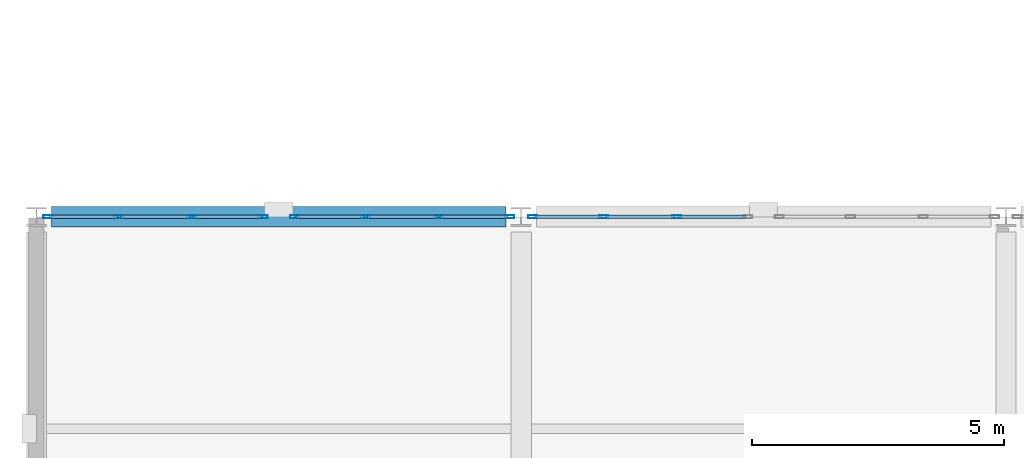
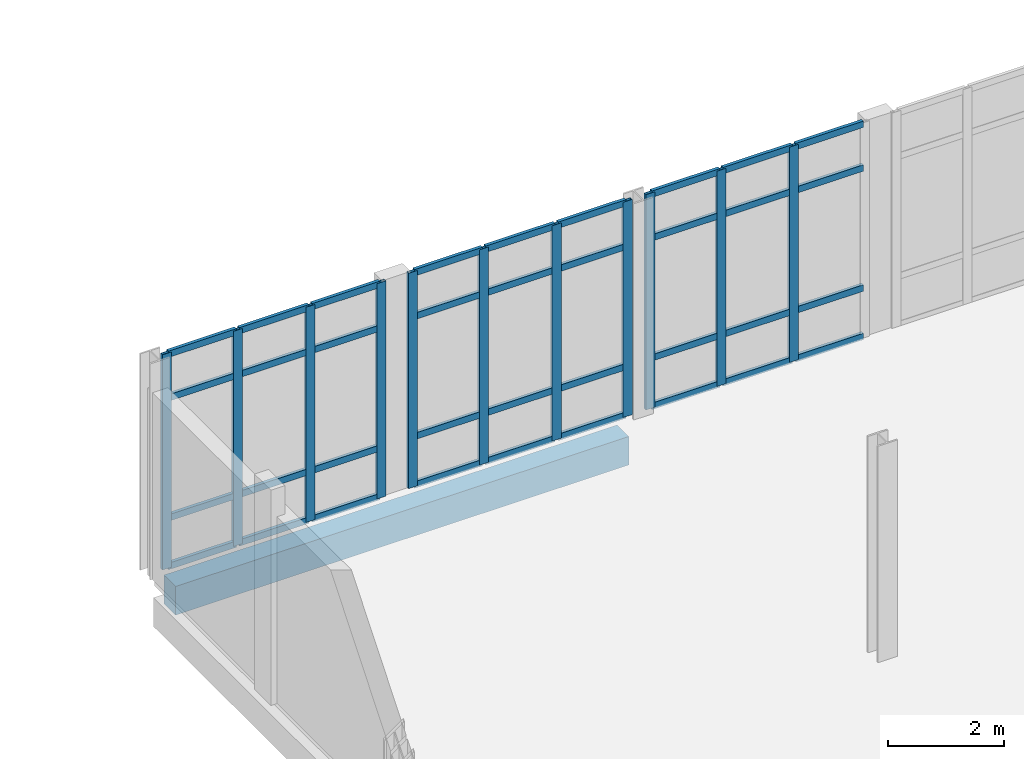
# One storey, part 18 of 102: 47 members, 1 beam, 3 elements without a shape of their own.
"""IFC4 building model written with IfcOpenShell, lengths in metres."""

import ifcopenshell
import ifcopenshell.guid

model = None  # the IFC model being written
_history = None  # IfcOwnerHistory: only IFC2X3 demands one
_inside = {}  # id of a spatial element -> (the spatial element, [elements in it])
_under = {}  # id of a project, library or spatial element -> (it, [spatial elements below it])
_declared = {}  # id of a project -> (the project, [libraries it declares])
_typed = {}  # id of a type object -> (the type object, [elements of that type])
_made_of = {}  # id of a material, layer set ... -> (it, [elements and type objects made of it])


def new_model(schema):
    """Start an empty IFC model of exactly this schema.

    Asked for "IFC4X3", IfcOpenShell would pick the latest addendum, in which some entities
    have other attributes; the version numbers below select the first issue.
    IFC2X3 requires an IfcOwnerHistory on every rooted entity: one is made here for all.
    """
    global model, _history
    if schema == "IFC4X3":
        model = ifcopenshell.file(schema_version=(4, 3, 0, 0))
    else:
        model = ifcopenshell.file(schema=schema)
    _inside.clear()
    _under.clear()
    _declared.clear()
    _typed.clear()
    _made_of.clear()
    _history = None
    if model.schema == "IFC2X3":
        org = make("IfcOrganization", Name="unknown")
        user = make(
            "IfcPersonAndOrganization",
            ThePerson=make("IfcPerson", FamilyName="unknown"),
            TheOrganization=org,
        )
        app = make(
            "IfcApplication",
            ApplicationDeveloper=org,
            Version="unknown",
            ApplicationFullName="unknown",
            ApplicationIdentifier="unknown",
        )
        _history = make(
            "IfcOwnerHistory",
            OwningUser=user,
            OwningApplication=app,
            ChangeAction="ADDED",
            CreationDate=0,
        )
    return model


def make(cls, **values):
    """One entity of the class cls with the attributes given. An attribute that is None is left unset."""
    return model.create_entity(
        cls, **{name: value for name, value in values.items() if value is not None}
    )


def rooted(cls, **values):
    """An entity with a GlobalId (a new one), such as an element, a storey or a relation."""
    return make(cls, GlobalId=ifcopenshell.guid.new(), OwnerHistory=_history, **values)


def si_unit(unit_type, name, prefix=None):
    """IfcSIUnit, for example si_unit("LENGTHUNIT", "METRE", prefix="MILLI")."""
    return make("IfcSIUnit", UnitType=unit_type, Prefix=prefix, Name=name)


def assignment(units):
    """IfcUnitAssignment: the units of a project."""
    return None if units is None else make("IfcUnitAssignment", Units=units)


def point(xyz):
    """IfcCartesianPoint."""
    return None if xyz is None else make("IfcCartesianPoint", Coordinates=xyz)


def direction(xyz):
    """IfcDirection."""
    return None if xyz is None else make("IfcDirection", DirectionRatios=xyz)


def frame(location, z_axis=None, x_axis=None):
    """IfcAxis2Placement3D, a coordinate frame: its origin and axes. An axis left out is left unset."""
    return make(
        "IfcAxis2Placement3D",
        Location=point(location),
        Axis=direction(z_axis),
        RefDirection=direction(x_axis),
    )


def frame_2d(location, x_axis=None):
    """IfcAxis2Placement2D, a coordinate frame in the plane: its origin and x axis."""
    return make(
        "IfcAxis2Placement2D", Location=point(location), RefDirection=direction(x_axis)
    )


def origin():
    """The frame at (0, 0, 0) with its axes left unset."""
    return frame((0.0, 0.0, 0.0))


def origin_2d():
    """The frame at (0, 0) in the plane with its x axis left unset."""
    return frame_2d((0.0, 0.0))


def place(relative_to, where):
    """IfcLocalPlacement: puts the frame where relative to a parent placement (None: the world)."""
    return make(
        "IfcLocalPlacement", PlacementRelTo=relative_to, RelativePlacement=where
    )


def context(
    kind, dimensions, precision=None, world=None, true_north=None, identifier=None
):
    """IfcGeometricRepresentationContext, for example the 3D "Model" context."""
    return make(
        "IfcGeometricRepresentationContext",
        ContextIdentifier=identifier,
        ContextType=kind,
        CoordinateSpaceDimension=dimensions,
        Precision=precision,
        WorldCoordinateSystem=world,
        TrueNorth=true_north,
    )


def subcontext(parent, identifier, kind, view, scale=None):
    """IfcGeometricRepresentationSubContext, for example "Body" below "Model"."""
    return make(
        "IfcGeometricRepresentationSubContext",
        ContextIdentifier=identifier,
        ContextType=kind,
        ParentContext=parent,
        TargetScale=scale,
        TargetView=view,
    )


def project(units=None, contexts=None):
    """IfcProject with its units and contexts."""
    return rooted(
        "IfcProject",
        Name="project",
        RepresentationContexts=contexts,
        UnitsInContext=assignment(units),
    )


def spatial(cls, under=None, at=None, **own):
    """A site, building, storey or space (cls), placed at a placement, below another one or the project."""
    s = rooted(cls, ObjectPlacement=at, **own)
    if under is not None:
        _under.setdefault(under.id(), (under, []))[1].append(s)
    return s


def profile(cls, at=None, kind="AREA", **sizes):
    """A parametric profile (cls). Its sizes go by their IFC names, for example OverallWidth=200.0."""
    return make(cls, ProfileType=kind, Position=at, **sizes)


def rectangle(**sizes):
    """IfcRectangleProfileDef."""
    return profile("IfcRectangleProfileDef", **sizes)


def hollow_rectangle(**sizes):
    """IfcRectangleHollowProfileDef."""
    return profile("IfcRectangleHollowProfileDef", **sizes)


def extrude(swept, where, along, depth):
    """IfcExtrudedAreaSolid: the profile swept, set in the frame where, extruded along a direction by depth."""
    return make(
        "IfcExtrudedAreaSolid",
        SweptArea=swept,
        Position=where,
        ExtrudedDirection=direction(along),
        Depth=depth,
    )


def shape(context_of_items, identifier, shape_type, items):
    """IfcShapeRepresentation: the items that make up one representation, for example the "Body"."""
    return make(
        "IfcShapeRepresentation",
        ContextOfItems=context_of_items,
        RepresentationIdentifier=identifier,
        RepresentationType=shape_type,
        Items=items,
    )


def material(Name=None, Category=None):
    """IfcMaterial."""
    return make("IfcMaterial", Name=Name, Category=Category)


def layer(
    of_material, thickness, ventilated=None, Name=None, Category=None, Priority=None
):
    """IfcMaterialLayer: one layer of a wall or slab, of a material (None: an air gap)."""
    return make(
        "IfcMaterialLayer",
        Material=of_material,
        LayerThickness=thickness,
        IsVentilated=ventilated,
        Name=Name,
        Category=Category,
        Priority=Priority,
    )


def layer_set(layers, Name=None):
    """IfcMaterialLayerSet."""
    return make("IfcMaterialLayerSet", MaterialLayers=layers, LayerSetName=Name)


def material_profile(
    of_material, cross_section, Name=None, Category=None, Priority=None
):
    """IfcMaterialProfile: a cross section and its material."""
    return make(
        "IfcMaterialProfile",
        Name=Name,
        Material=of_material,
        Profile=cross_section,
        Priority=Priority,
        Category=Category,
    )


def profile_set(profiles, Name=None, composite=None):
    """IfcMaterialProfileSet."""
    return make(
        "IfcMaterialProfileSet",
        Name=Name,
        MaterialProfiles=profiles,
        CompositeProfile=composite,
    )


def made_of(thing, what):
    """Note that an element or type object is made of a material, layer set ...; save() writes the relation."""
    if what is not None:
        _made_of.setdefault(what.id(), (what, []))[1].append(thing)
    return thing


def type_object(cls, material=None, **own):
    """A type object (cls), such as IfcWallType, which elements share."""
    return made_of(rooted(cls, **own), material)


def element(
    cls,
    number,
    at=None,
    inside=None,
    cuts=None,
    type_object=None,
    material=None,
    context=None,
    identifier="Body",
    shape_type=None,
    held_by="IfcProductDefinitionShape",
    body=None,
    shapes=None,
    **own,
):
    """One element of the class cls, such as IfcWall. Its Tag is "e" and its number.

    at: its placement. inside: the storey or other place that contains it. cuts: it is an
    opening in that element (IfcRelVoidsElement). A single representation is given by context,
    identifier, shape_type and body (its items); several are given by shapes. held_by: the class
    of the entity that holds the representations. save() writes the other relations.
    """
    e = rooted(cls, Tag="e%d" % number, ObjectPlacement=at, **own)
    if body is not None:
        shapes = [shape(context, identifier, shape_type, body)]
    if shapes is not None:
        e.Representation = make(held_by, Representations=shapes)
    if inside is not None:
        _inside.setdefault(inside.id(), (inside, []))[1].append(e)
    if cuts is not None:
        rooted(
            "IfcRelVoidsElement", RelatingBuildingElement=cuts, RelatedOpeningElement=e
        )
    if type_object is not None:
        _typed.setdefault(type_object.id(), (type_object, []))[1].append(e)
    return made_of(e, material)


def aggregate(whole, parts):
    """IfcRelAggregates: a whole, such as a stair, and the parts it consists of."""
    return rooted("IfcRelAggregates", RelatingObject=whole, RelatedObjects=parts)


def save(model, path):
    """Write the relations noted so far, then the file.

    IfcRelAggregates (storeys below a building ...), IfcRelContainedInSpatialStructure (elements
    in a storey), IfcRelDefinesByType, IfcRelAssociatesMaterial and IfcRelDeclares: one each for
    every whole, place, type object, material and project.
    """
    for whole, parts in _under.values():
        aggregate(whole, parts)
    for where, things in _inside.values():
        rooted(
            "IfcRelContainedInSpatialStructure",
            RelatedElements=things,
            RelatingStructure=where,
        )
    for kind, things in _typed.values():
        rooted("IfcRelDefinesByType", RelatedObjects=things, RelatingType=kind)
    for what, things in _made_of.values():
        rooted("IfcRelAssociatesMaterial", RelatedObjects=things, RelatingMaterial=what)
    for by, libraries in _declared.values():
        rooted("IfcRelDeclares", RelatingContext=by, RelatedDefinitions=libraries)
    model.write(path)


model = new_model("IFC4")

# Units and contexts
model_context = context("Model", 3, precision=1e-05, world=origin(), true_north=direction((0.0, 1.0)))
body_context = subcontext(model_context, "Body", "Model", "MODEL_VIEW")
ifc_project = project(units=[si_unit("LENGTHUNIT", "METRE"), si_unit("AREAUNIT", "SQUARE_METRE"), si_unit("VOLUMEUNIT", "CUBIC_METRE"), si_unit("PLANEANGLEUNIT", "RADIAN"), si_unit("MASSUNIT", "GRAM", prefix="KILO")], contexts=[model_context])

# Site, building, storey
site_placement = place(None, origin())
site = spatial("IfcSite", under=ifc_project, at=site_placement, CompositionType="ELEMENT")
building_placement = place(site_placement, origin())
building = spatial("IfcBuilding", under=site, at=building_placement, Name="Lornevale Opera House", CompositionType="ELEMENT")
storey_placement = place(building_placement, frame((0.0, 0.0, 5.39990234375)))
storey = spatial("IfcBuildingStorey", under=building, at=storey_placement, Name="L02", CompositionType="ELEMENT", Elevation=5.39990234375)

# Beam
ifc_material_1 = material(Name="Concrete 35 MPa (CSA A23.1 N)", Category="concrete")
ifc_material_profile_1 = material_profile(ifc_material_1, rectangle(XDim=0.39990234375, YDim=0.60009765625, at=origin_2d()), Name="RC400x600")
ifc_profile_set_1 = profile_set([ifc_material_profile_1], Name="Concrete 35 MPa (CSA A23.1 N)")
beam_type = type_object("IfcBeamType", Name="Concrete Spandrel Beam 400x600", PredefinedType="SPANDREL", material=ifc_profile_set_1)
beam_placement = place(storey_placement, frame((0.300048828125, 25.199951171875, -0.599853515625), z_axis=(1.0, 0.0, 0.0), x_axis=(0.0, 1.0, 0.0)))
element("IfcBeam", 1, at=beam_placement, inside=storey, type_object=beam_type, Name="Concrete Spandrel Beam 400x600 1695", PredefinedType="SPANDREL", context=body_context, shape_type="SweptSolid", body=[
    extrude(rectangle(XDim=0.39990234375, YDim=0.60009765625, at=origin_2d()), origin(), (0.0, 0.0, 1.0), 9.0),
])

# Curtain wall, members
ifc_material_2 = material(Name="Anodized Oxide-Green Aluminium Framing", Category="aluminium")
ifc_layer = layer(ifc_material_2, 0.175048828125)
ifc_layer_set = layer_set([ifc_layer], Name="Anodized Oxide-Green Aluminium Framing")
curtain_wall_type = type_object("IfcCurtainWallType", Name="Chamber Cloister Curtain Wall M1700", PredefinedType="NOTDEFINED", material=ifc_layer_set)
curtain_wall_1_placement = place(storey_placement, origin())
curtain_wall_1 = element("IfcCurtainWall", 2, at=curtain_wall_1_placement, inside=storey, type_object=curtain_wall_type, Name="Chamber Cloister Curtain Wall M1700 CW-023", PredefinedType="NOTDEFINED")
ifc_material_profile_2 = material_profile(ifc_material_2, hollow_rectangle(XDim=0.06494140625, YDim=0.179931640625, WallThickness=0.0048828125, at=origin_2d()), Name="ALU65x180x5")
ifc_profile_set_2 = profile_set([ifc_material_profile_2], Name="Anodized Oxide-Green Aluminium Framing")
member_type_1 = type_object("IfcMemberType", Name="Curtain Wall Mullion 65x180", PredefinedType="MULLION", material=ifc_profile_set_2)
member_1_placement = place(storey_placement, frame((0.2255859375, 25.199951171875, 0.0), z_axis=(0.0, 0.0, 1.0), x_axis=(0.0, 1.0, 0.0)))
member_1 = element("IfcMember", 3, at=member_1_placement, type_object=member_type_1, Name="Curtain Wall Mullion 65x180 CW0383", PredefinedType="MULLION", context=body_context, shape_type="SweptSolid", body=[
    extrude(hollow_rectangle(XDim=0.06494140625, YDim=0.179931640625, WallThickness=0.0048828125, at=origin_2d()), origin(), (0.0, 0.0, 1.0), 4.52001953125),
])
member_2_placement = place(storey_placement, frame((1.63525390625, 25.199951171875, 0.0), z_axis=(0.0, 0.0, 1.0), x_axis=(0.0, 1.0, 0.0)))
member_2 = element("IfcMember", 4, at=member_2_placement, type_object=member_type_1, Name="Curtain Wall Mullion 65x180 CW0384", PredefinedType="MULLION", context=body_context, shape_type="SweptSolid", body=[
    extrude(hollow_rectangle(XDim=0.06494140625, YDim=0.179931640625, WallThickness=0.0048828125, at=origin_2d()), origin(), (0.0, 0.0, 1.0), 4.52001953125),
])
member_3_placement = place(storey_placement, frame((3.07763671875, 25.199951171875, 0.0), z_axis=(0.0, 0.0, 1.0), x_axis=(0.0, 1.0, 0.0)))
member_3 = element("IfcMember", 5, at=member_3_placement, type_object=member_type_1, Name="Curtain Wall Mullion 65x180 CW0385", PredefinedType="MULLION", context=body_context, shape_type="SweptSolid", body=[
    extrude(hollow_rectangle(XDim=0.06494140625, YDim=0.179931640625, WallThickness=0.0048828125, at=origin_2d()), origin(), (0.0, 0.0, 1.0), 4.52001953125),
])
member_4_placement = place(storey_placement, frame((4.487548828125, 25.199951171875, 0.0), z_axis=(0.0, 0.0, 1.0), x_axis=(0.0, 1.0, 0.0)))
member_4 = element("IfcMember", 6, at=member_4_placement, type_object=member_type_1, Name="Curtain Wall Mullion 65x180 CW0386", PredefinedType="MULLION", context=body_context, shape_type="SweptSolid", body=[
    extrude(hollow_rectangle(XDim=0.06494140625, YDim=0.179931640625, WallThickness=0.0048828125, at=origin_2d()), origin(), (0.0, 0.0, 1.0), 4.52001953125),
])

curtain_wall_2_placement = place(storey_placement, origin())
curtain_wall_2 = element("IfcCurtainWall", 7, at=curtain_wall_2_placement, inside=storey, type_object=curtain_wall_type, Name="Chamber Cloister Curtain Wall M1700 CW-024", PredefinedType="NOTDEFINED")
member_5_placement = place(storey_placement, frame((5.112548828125, 25.199951171875, 0.0), z_axis=(0.0, 0.0, 1.0), x_axis=(0.0, 1.0, 0.0)))
member_5 = element("IfcMember", 8, at=member_5_placement, type_object=member_type_1, Name="Curtain Wall Mullion 65x180 CW0408", PredefinedType="MULLION", context=body_context, shape_type="SweptSolid", body=[
    extrude(hollow_rectangle(XDim=0.06494140625, YDim=0.179931640625, WallThickness=0.0048828125, at=origin_2d()), origin(), (0.0, 0.0, 1.0), 4.52001953125),
])
member_6_placement = place(storey_placement, frame((6.522216796875, 25.199951171875, 0.0), z_axis=(0.0, 0.0, 1.0), x_axis=(0.0, 1.0, 0.0)))
member_6 = element("IfcMember", 9, at=member_6_placement, type_object=member_type_1, Name="Curtain Wall Mullion 65x180 CW0409", PredefinedType="MULLION", context=body_context, shape_type="SweptSolid", body=[
    extrude(hollow_rectangle(XDim=0.06494140625, YDim=0.179931640625, WallThickness=0.0048828125, at=origin_2d()), origin(), (0.0, 0.0, 1.0), 4.52001953125),
])
member_7_placement = place(storey_placement, frame((7.964599609375, 25.199951171875, 0.0), z_axis=(0.0, 0.0, 1.0), x_axis=(0.0, 1.0, 0.0)))
member_7 = element("IfcMember", 10, at=member_7_placement, type_object=member_type_1, Name="Curtain Wall Mullion 65x180 CW0410", PredefinedType="MULLION", context=body_context, shape_type="SweptSolid", body=[
    extrude(hollow_rectangle(XDim=0.06494140625, YDim=0.179931640625, WallThickness=0.0048828125, at=origin_2d()), origin(), (0.0, 0.0, 1.0), 4.52001953125),
])
member_8_placement = place(storey_placement, frame((9.37451171875, 25.199951171875, 0.0), z_axis=(0.0, 0.0, 1.0), x_axis=(0.0, 1.0, 0.0)))
member_8 = element("IfcMember", 11, at=member_8_placement, type_object=member_type_1, Name="Curtain Wall Mullion 65x180 CW0411", PredefinedType="MULLION", context=body_context, shape_type="SweptSolid", body=[
    extrude(hollow_rectangle(XDim=0.06494140625, YDim=0.179931640625, WallThickness=0.0048828125, at=origin_2d()), origin(), (0.0, 0.0, 1.0), 4.52001953125),
])

curtain_wall_3_placement = place(storey_placement, origin())
curtain_wall_3 = element("IfcCurtainWall", 12, at=curtain_wall_3_placement, inside=storey, type_object=curtain_wall_type, Name="Chamber Cloister Curtain Wall M1700 CW-031", PredefinedType="NOTDEFINED")
member_9_placement = place(storey_placement, frame((9.825439453125, 25.199951171875, 0.0), z_axis=(0.0, 0.0, 1.0), x_axis=(0.0, 1.0, 0.0)))
member_9 = element("IfcMember", 13, at=member_9_placement, type_object=member_type_1, Name="Curtain Wall Mullion 65x180 CW0583", PredefinedType="MULLION", context=body_context, shape_type="SweptSolid", body=[
    extrude(hollow_rectangle(XDim=0.06494140625, YDim=0.179931640625, WallThickness=0.0048828125, at=origin_2d()), origin(), (0.0, 0.0, 1.0), 4.52001953125),
])
member_10_placement = place(storey_placement, frame((11.2353515625, 25.199951171875, 0.0), z_axis=(0.0, 0.0, 1.0), x_axis=(0.0, 1.0, 0.0)))
member_10 = element("IfcMember", 14, at=member_10_placement, type_object=member_type_1, Name="Curtain Wall Mullion 65x180 CW0584", PredefinedType="MULLION", context=body_context, shape_type="SweptSolid", body=[
    extrude(hollow_rectangle(XDim=0.06494140625, YDim=0.179931640625, WallThickness=0.0048828125, at=origin_2d()), origin(), (0.0, 0.0, 1.0), 4.52001953125),
])
member_11_placement = place(storey_placement, frame((12.677734375, 25.199951171875, 0.0), z_axis=(0.0, 0.0, 1.0), x_axis=(0.0, 1.0, 0.0)))
member_11 = element("IfcMember", 15, at=member_11_placement, type_object=member_type_1, Name="Curtain Wall Mullion 65x180 CW0585", PredefinedType="MULLION", context=body_context, shape_type="SweptSolid", body=[
    extrude(hollow_rectangle(XDim=0.06494140625, YDim=0.179931640625, WallThickness=0.0048828125, at=origin_2d()), origin(), (0.0, 0.0, 1.0), 4.52001953125),
])

# Member
ifc_material_profile_3 = material_profile(ifc_material_2, hollow_rectangle(XDim=0.06494140625, YDim=0.135009765625, WallThickness=0.00390625, at=origin_2d()), Name="ALU65x135x4")
ifc_profile_set_3 = profile_set([ifc_material_profile_3], Name="Anodized Oxide-Green Aluminium Framing")
member_type_2 = type_object("IfcMemberType", Name="Curtain Wall Transom 65x135", PredefinedType="USERDEFINED", material=ifc_profile_set_3)
member_12_placement = place(storey_placement, frame((0.258056640625, 25.199951171875, 0.03271484375), z_axis=(1.0, 0.0, 0.0), x_axis=(0.0, 1.0, 0.0)))
member_12 = element("IfcMember", 16, at=member_12_placement, type_object=member_type_2, Name="Curtain Wall Transom 65x135 CW0387", ObjectType="TRANSOM", PredefinedType="USERDEFINED", context=body_context, shape_type="SweptSolid", body=[
    extrude(hollow_rectangle(XDim=0.06494140625, YDim=0.135009765625, WallThickness=0.00390625, at=origin_2d()), origin(), (0.0, 0.0, 1.0), 1.3447265625),
])

member_13_placement = place(storey_placement, frame((0.258056640625, 25.199951171875, 1.050048828125), z_axis=(1.0, 0.0, 0.0), x_axis=(0.0, 1.0, 0.0)))
member_13 = element("IfcMember", 17, at=member_13_placement, type_object=member_type_2, Name="Curtain Wall Transom 65x135 CW0388", ObjectType="TRANSOM", PredefinedType="USERDEFINED", context=body_context, shape_type="SweptSolid", body=[
    extrude(hollow_rectangle(XDim=0.06494140625, YDim=0.135009765625, WallThickness=0.00390625, at=origin_2d()), origin(), (0.0, 0.0, 1.0), 1.3447265625),
])

member_14_placement = place(storey_placement, frame((0.258056640625, 25.199951171875, 3.570068359375), z_axis=(1.0, 0.0, 0.0), x_axis=(0.0, 1.0, 0.0)))
member_14 = element("IfcMember", 18, at=member_14_placement, type_object=member_type_2, Name="Curtain Wall Transom 65x135 CW0389", ObjectType="TRANSOM", PredefinedType="USERDEFINED", context=body_context, shape_type="SweptSolid", body=[
    extrude(hollow_rectangle(XDim=0.06494140625, YDim=0.135009765625, WallThickness=0.00390625, at=origin_2d()), origin(), (0.0, 0.0, 1.0), 1.3447265625),
])

member_15_placement = place(storey_placement, frame((0.258056640625, 25.199951171875, 4.487548828125), z_axis=(1.0, 0.0, 0.0), x_axis=(0.0, 1.0, 0.0)))
member_15 = element("IfcMember", 19, at=member_15_placement, type_object=member_type_2, Name="Curtain Wall Transom 65x135 CW0390", ObjectType="TRANSOM", PredefinedType="USERDEFINED", context=body_context, shape_type="SweptSolid", body=[
    extrude(hollow_rectangle(XDim=0.06494140625, YDim=0.135009765625, WallThickness=0.00390625, at=origin_2d()), origin(), (0.0, 0.0, 1.0), 1.3447265625),
])

member_16_placement = place(storey_placement, frame((1.667724609375, 25.199951171875, 0.03271484375), z_axis=(1.0, 0.0, 0.0), x_axis=(0.0, 1.0, 0.0)))
member_16 = element("IfcMember", 20, at=member_16_placement, type_object=member_type_2, Name="Curtain Wall Transom 65x135 CW0394", ObjectType="TRANSOM", PredefinedType="USERDEFINED", context=body_context, shape_type="SweptSolid", body=[
    extrude(hollow_rectangle(XDim=0.06494140625, YDim=0.135009765625, WallThickness=0.00390625, at=origin_2d()), origin(), (0.0, 0.0, 1.0), 1.37744140625),
])

member_17_placement = place(storey_placement, frame((1.667724609375, 25.199951171875, 1.050048828125), z_axis=(1.0, 0.0, 0.0), x_axis=(0.0, 1.0, 0.0)))
member_17 = element("IfcMember", 21, at=member_17_placement, type_object=member_type_2, Name="Curtain Wall Transom 65x135 CW0395", ObjectType="TRANSOM", PredefinedType="USERDEFINED", context=body_context, shape_type="SweptSolid", body=[
    extrude(hollow_rectangle(XDim=0.06494140625, YDim=0.135009765625, WallThickness=0.00390625, at=origin_2d()), origin(), (0.0, 0.0, 1.0), 1.37744140625),
])

member_18_placement = place(storey_placement, frame((1.667724609375, 25.199951171875, 3.570068359375), z_axis=(1.0, 0.0, 0.0), x_axis=(0.0, 1.0, 0.0)))
member_18 = element("IfcMember", 22, at=member_18_placement, type_object=member_type_2, Name="Curtain Wall Transom 65x135 CW0396", ObjectType="TRANSOM", PredefinedType="USERDEFINED", context=body_context, shape_type="SweptSolid", body=[
    extrude(hollow_rectangle(XDim=0.06494140625, YDim=0.135009765625, WallThickness=0.00390625, at=origin_2d()), origin(), (0.0, 0.0, 1.0), 1.37744140625),
])

member_19_placement = place(storey_placement, frame((1.667724609375, 25.199951171875, 4.487548828125), z_axis=(1.0, 0.0, 0.0), x_axis=(0.0, 1.0, 0.0)))
member_19 = element("IfcMember", 23, at=member_19_placement, type_object=member_type_2, Name="Curtain Wall Transom 65x135 CW0397", ObjectType="TRANSOM", PredefinedType="USERDEFINED", context=body_context, shape_type="SweptSolid", body=[
    extrude(hollow_rectangle(XDim=0.06494140625, YDim=0.135009765625, WallThickness=0.00390625, at=origin_2d()), origin(), (0.0, 0.0, 1.0), 1.37744140625),
])

member_20_placement = place(storey_placement, frame((3.110107421875, 25.199951171875, 0.03271484375), z_axis=(1.0, 0.0, 0.0), x_axis=(0.0, 1.0, 0.0)))
member_20 = element("IfcMember", 24, at=member_20_placement, type_object=member_type_2, Name="Curtain Wall Transom 65x135 CW0401", ObjectType="TRANSOM", PredefinedType="USERDEFINED", context=body_context, shape_type="SweptSolid", body=[
    extrude(hollow_rectangle(XDim=0.06494140625, YDim=0.135009765625, WallThickness=0.00390625, at=origin_2d()), origin(), (0.0, 0.0, 1.0), 1.344970703125),
])

member_21_placement = place(storey_placement, frame((3.110107421875, 25.199951171875, 1.050048828125), z_axis=(1.0, 0.0, 0.0), x_axis=(0.0, 1.0, 0.0)))
member_21 = element("IfcMember", 25, at=member_21_placement, type_object=member_type_2, Name="Curtain Wall Transom 65x135 CW0402", ObjectType="TRANSOM", PredefinedType="USERDEFINED", context=body_context, shape_type="SweptSolid", body=[
    extrude(hollow_rectangle(XDim=0.06494140625, YDim=0.135009765625, WallThickness=0.00390625, at=origin_2d()), origin(), (0.0, 0.0, 1.0), 1.344970703125),
])

member_22_placement = place(storey_placement, frame((3.110107421875, 25.199951171875, 3.570068359375), z_axis=(1.0, 0.0, 0.0), x_axis=(0.0, 1.0, 0.0)))
member_22 = element("IfcMember", 26, at=member_22_placement, type_object=member_type_2, Name="Curtain Wall Transom 65x135 CW0403", ObjectType="TRANSOM", PredefinedType="USERDEFINED", context=body_context, shape_type="SweptSolid", body=[
    extrude(hollow_rectangle(XDim=0.06494140625, YDim=0.135009765625, WallThickness=0.00390625, at=origin_2d()), origin(), (0.0, 0.0, 1.0), 1.344970703125),
])

member_23_placement = place(storey_placement, frame((3.110107421875, 25.199951171875, 4.487548828125), z_axis=(1.0, 0.0, 0.0), x_axis=(0.0, 1.0, 0.0)))
member_23 = element("IfcMember", 27, at=member_23_placement, type_object=member_type_2, Name="Curtain Wall Transom 65x135 CW0404", ObjectType="TRANSOM", PredefinedType="USERDEFINED", context=body_context, shape_type="SweptSolid", body=[
    extrude(hollow_rectangle(XDim=0.06494140625, YDim=0.135009765625, WallThickness=0.00390625, at=origin_2d()), origin(), (0.0, 0.0, 1.0), 1.344970703125),
])

aggregate(curtain_wall_1, [member_1, member_2, member_3, member_4, member_12, member_13, member_14, member_15, member_16, member_17, member_18, member_19, member_20, member_21, member_22, member_23])

member_24_placement = place(storey_placement, frame((5.14501953125, 25.199951171875, 0.03271484375), z_axis=(1.0, 0.0, 0.0), x_axis=(0.0, 1.0, 0.0)))
member_24 = element("IfcMember", 28, at=member_24_placement, type_object=member_type_2, Name="Curtain Wall Transom 65x135 CW0412", ObjectType="TRANSOM", PredefinedType="USERDEFINED", context=body_context, shape_type="SweptSolid", body=[
    extrude(hollow_rectangle(XDim=0.06494140625, YDim=0.135009765625, WallThickness=0.00390625, at=origin_2d()), origin(), (0.0, 0.0, 1.0), 1.3447265625),
])

member_25_placement = place(storey_placement, frame((5.14501953125, 25.199951171875, 1.050048828125), z_axis=(1.0, 0.0, 0.0), x_axis=(0.0, 1.0, 0.0)))
member_25 = element("IfcMember", 29, at=member_25_placement, type_object=member_type_2, Name="Curtain Wall Transom 65x135 CW0413", ObjectType="TRANSOM", PredefinedType="USERDEFINED", context=body_context, shape_type="SweptSolid", body=[
    extrude(hollow_rectangle(XDim=0.06494140625, YDim=0.135009765625, WallThickness=0.00390625, at=origin_2d()), origin(), (0.0, 0.0, 1.0), 1.3447265625),
])

member_26_placement = place(storey_placement, frame((5.14501953125, 25.199951171875, 3.570068359375), z_axis=(1.0, 0.0, 0.0), x_axis=(0.0, 1.0, 0.0)))
member_26 = element("IfcMember", 30, at=member_26_placement, type_object=member_type_2, Name="Curtain Wall Transom 65x135 CW0414", ObjectType="TRANSOM", PredefinedType="USERDEFINED", context=body_context, shape_type="SweptSolid", body=[
    extrude(hollow_rectangle(XDim=0.06494140625, YDim=0.135009765625, WallThickness=0.00390625, at=origin_2d()), origin(), (0.0, 0.0, 1.0), 1.3447265625),
])

member_27_placement = place(storey_placement, frame((5.14501953125, 25.199951171875, 4.487548828125), z_axis=(1.0, 0.0, 0.0), x_axis=(0.0, 1.0, 0.0)))
member_27 = element("IfcMember", 31, at=member_27_placement, type_object=member_type_2, Name="Curtain Wall Transom 65x135 CW0415", ObjectType="TRANSOM", PredefinedType="USERDEFINED", context=body_context, shape_type="SweptSolid", body=[
    extrude(hollow_rectangle(XDim=0.06494140625, YDim=0.135009765625, WallThickness=0.00390625, at=origin_2d()), origin(), (0.0, 0.0, 1.0), 1.3447265625),
])

member_28_placement = place(storey_placement, frame((6.5546875, 25.199951171875, 0.03271484375), z_axis=(1.0, 0.0, 0.0), x_axis=(0.0, 1.0, 0.0)))
member_28 = element("IfcMember", 32, at=member_28_placement, type_object=member_type_2, Name="Curtain Wall Transom 65x135 CW0419", ObjectType="TRANSOM", PredefinedType="USERDEFINED", context=body_context, shape_type="SweptSolid", body=[
    extrude(hollow_rectangle(XDim=0.06494140625, YDim=0.135009765625, WallThickness=0.00390625, at=origin_2d()), origin(), (0.0, 0.0, 1.0), 1.37744140625),
])

member_29_placement = place(storey_placement, frame((6.5546875, 25.199951171875, 1.050048828125), z_axis=(1.0, 0.0, 0.0), x_axis=(0.0, 1.0, 0.0)))
member_29 = element("IfcMember", 33, at=member_29_placement, type_object=member_type_2, Name="Curtain Wall Transom 65x135 CW0420", ObjectType="TRANSOM", PredefinedType="USERDEFINED", context=body_context, shape_type="SweptSolid", body=[
    extrude(hollow_rectangle(XDim=0.06494140625, YDim=0.135009765625, WallThickness=0.00390625, at=origin_2d()), origin(), (0.0, 0.0, 1.0), 1.37744140625),
])

member_30_placement = place(storey_placement, frame((6.5546875, 25.199951171875, 3.570068359375), z_axis=(1.0, 0.0, 0.0), x_axis=(0.0, 1.0, 0.0)))
member_30 = element("IfcMember", 34, at=member_30_placement, type_object=member_type_2, Name="Curtain Wall Transom 65x135 CW0421", ObjectType="TRANSOM", PredefinedType="USERDEFINED", context=body_context, shape_type="SweptSolid", body=[
    extrude(hollow_rectangle(XDim=0.06494140625, YDim=0.135009765625, WallThickness=0.00390625, at=origin_2d()), origin(), (0.0, 0.0, 1.0), 1.37744140625),
])

member_31_placement = place(storey_placement, frame((6.5546875, 25.199951171875, 4.487548828125), z_axis=(1.0, 0.0, 0.0), x_axis=(0.0, 1.0, 0.0)))
member_31 = element("IfcMember", 35, at=member_31_placement, type_object=member_type_2, Name="Curtain Wall Transom 65x135 CW0422", ObjectType="TRANSOM", PredefinedType="USERDEFINED", context=body_context, shape_type="SweptSolid", body=[
    extrude(hollow_rectangle(XDim=0.06494140625, YDim=0.135009765625, WallThickness=0.00390625, at=origin_2d()), origin(), (0.0, 0.0, 1.0), 1.37744140625),
])

member_32_placement = place(storey_placement, frame((7.997314453125, 25.199951171875, 0.03271484375), z_axis=(1.0, 0.0, 0.0), x_axis=(0.0, 1.0, 0.0)))
member_32 = element("IfcMember", 36, at=member_32_placement, type_object=member_type_2, Name="Curtain Wall Transom 65x135 CW0426", ObjectType="TRANSOM", PredefinedType="USERDEFINED", context=body_context, shape_type="SweptSolid", body=[
    extrude(hollow_rectangle(XDim=0.06494140625, YDim=0.135009765625, WallThickness=0.00390625, at=origin_2d()), origin(), (0.0, 0.0, 1.0), 1.3447265625),
])

member_33_placement = place(storey_placement, frame((7.997314453125, 25.199951171875, 1.050048828125), z_axis=(1.0, 0.0, 0.0), x_axis=(0.0, 1.0, 0.0)))
member_33 = element("IfcMember", 37, at=member_33_placement, type_object=member_type_2, Name="Curtain Wall Transom 65x135 CW0427", ObjectType="TRANSOM", PredefinedType="USERDEFINED", context=body_context, shape_type="SweptSolid", body=[
    extrude(hollow_rectangle(XDim=0.06494140625, YDim=0.135009765625, WallThickness=0.00390625, at=origin_2d()), origin(), (0.0, 0.0, 1.0), 1.3447265625),
])

member_34_placement = place(storey_placement, frame((7.997314453125, 25.199951171875, 3.570068359375), z_axis=(1.0, 0.0, 0.0), x_axis=(0.0, 1.0, 0.0)))
member_34 = element("IfcMember", 38, at=member_34_placement, type_object=member_type_2, Name="Curtain Wall Transom 65x135 CW0428", ObjectType="TRANSOM", PredefinedType="USERDEFINED", context=body_context, shape_type="SweptSolid", body=[
    extrude(hollow_rectangle(XDim=0.06494140625, YDim=0.135009765625, WallThickness=0.00390625, at=origin_2d()), origin(), (0.0, 0.0, 1.0), 1.3447265625),
])

member_35_placement = place(storey_placement, frame((7.997314453125, 25.199951171875, 4.487548828125), z_axis=(1.0, 0.0, 0.0), x_axis=(0.0, 1.0, 0.0)))
member_35 = element("IfcMember", 39, at=member_35_placement, type_object=member_type_2, Name="Curtain Wall Transom 65x135 CW0429", ObjectType="TRANSOM", PredefinedType="USERDEFINED", context=body_context, shape_type="SweptSolid", body=[
    extrude(hollow_rectangle(XDim=0.06494140625, YDim=0.135009765625, WallThickness=0.00390625, at=origin_2d()), origin(), (0.0, 0.0, 1.0), 1.3447265625),
])

aggregate(curtain_wall_2, [member_5, member_6, member_7, member_8, member_24, member_25, member_26, member_27, member_28, member_29, member_30, member_31, member_32, member_33, member_34, member_35])

member_36_placement = place(storey_placement, frame((9.85791015625, 25.199951171875, 0.03271484375), z_axis=(1.0, 0.0, 0.0), x_axis=(0.0, 1.0, 0.0)))
member_36 = element("IfcMember", 40, at=member_36_placement, type_object=member_type_2, Name="Curtain Wall Transom 65x135 CW0587", ObjectType="TRANSOM", PredefinedType="USERDEFINED", context=body_context, shape_type="SweptSolid", body=[
    extrude(hollow_rectangle(XDim=0.06494140625, YDim=0.135009765625, WallThickness=0.00390625, at=origin_2d()), origin(), (0.0, 0.0, 1.0), 1.344970703125),
])

member_37_placement = place(storey_placement, frame((9.85791015625, 25.199951171875, 1.050048828125), z_axis=(1.0, 0.0, 0.0), x_axis=(0.0, 1.0, 0.0)))
member_37 = element("IfcMember", 41, at=member_37_placement, type_object=member_type_2, Name="Curtain Wall Transom 65x135 CW0588", ObjectType="TRANSOM", PredefinedType="USERDEFINED", context=body_context, shape_type="SweptSolid", body=[
    extrude(hollow_rectangle(XDim=0.06494140625, YDim=0.135009765625, WallThickness=0.00390625, at=origin_2d()), origin(), (0.0, 0.0, 1.0), 1.344970703125),
])

member_38_placement = place(storey_placement, frame((9.85791015625, 25.199951171875, 3.570068359375), z_axis=(1.0, 0.0, 0.0), x_axis=(0.0, 1.0, 0.0)))
member_38 = element("IfcMember", 42, at=member_38_placement, type_object=member_type_2, Name="Curtain Wall Transom 65x135 CW0589", ObjectType="TRANSOM", PredefinedType="USERDEFINED", context=body_context, shape_type="SweptSolid", body=[
    extrude(hollow_rectangle(XDim=0.06494140625, YDim=0.135009765625, WallThickness=0.00390625, at=origin_2d()), origin(), (0.0, 0.0, 1.0), 1.344970703125),
])

member_39_placement = place(storey_placement, frame((9.85791015625, 25.199951171875, 4.487548828125), z_axis=(1.0, 0.0, 0.0), x_axis=(0.0, 1.0, 0.0)))
member_39 = element("IfcMember", 43, at=member_39_placement, type_object=member_type_2, Name="Curtain Wall Transom 65x135 CW0590", ObjectType="TRANSOM", PredefinedType="USERDEFINED", context=body_context, shape_type="SweptSolid", body=[
    extrude(hollow_rectangle(XDim=0.06494140625, YDim=0.135009765625, WallThickness=0.00390625, at=origin_2d()), origin(), (0.0, 0.0, 1.0), 1.344970703125),
])

member_40_placement = place(storey_placement, frame((11.267822265625, 25.199951171875, 0.03271484375), z_axis=(1.0, 0.0, 0.0), x_axis=(0.0, 1.0, 0.0)))
member_40 = element("IfcMember", 44, at=member_40_placement, type_object=member_type_2, Name="Curtain Wall Transom 65x135 CW0594", ObjectType="TRANSOM", PredefinedType="USERDEFINED", context=body_context, shape_type="SweptSolid", body=[
    extrude(hollow_rectangle(XDim=0.06494140625, YDim=0.135009765625, WallThickness=0.00390625, at=origin_2d()), origin(), (0.0, 0.0, 1.0), 1.37744140625),
])

member_41_placement = place(storey_placement, frame((11.267822265625, 25.199951171875, 1.050048828125), z_axis=(1.0, 0.0, 0.0), x_axis=(0.0, 1.0, 0.0)))
member_41 = element("IfcMember", 45, at=member_41_placement, type_object=member_type_2, Name="Curtain Wall Transom 65x135 CW0595", ObjectType="TRANSOM", PredefinedType="USERDEFINED", context=body_context, shape_type="SweptSolid", body=[
    extrude(hollow_rectangle(XDim=0.06494140625, YDim=0.135009765625, WallThickness=0.00390625, at=origin_2d()), origin(), (0.0, 0.0, 1.0), 1.37744140625),
])

member_42_placement = place(storey_placement, frame((11.267822265625, 25.199951171875, 3.570068359375), z_axis=(1.0, 0.0, 0.0), x_axis=(0.0, 1.0, 0.0)))
member_42 = element("IfcMember", 46, at=member_42_placement, type_object=member_type_2, Name="Curtain Wall Transom 65x135 CW0596", ObjectType="TRANSOM", PredefinedType="USERDEFINED", context=body_context, shape_type="SweptSolid", body=[
    extrude(hollow_rectangle(XDim=0.06494140625, YDim=0.135009765625, WallThickness=0.00390625, at=origin_2d()), origin(), (0.0, 0.0, 1.0), 1.37744140625),
])

member_43_placement = place(storey_placement, frame((11.267822265625, 25.199951171875, 4.487548828125), z_axis=(1.0, 0.0, 0.0), x_axis=(0.0, 1.0, 0.0)))
member_43 = element("IfcMember", 47, at=member_43_placement, type_object=member_type_2, Name="Curtain Wall Transom 65x135 CW0597", ObjectType="TRANSOM", PredefinedType="USERDEFINED", context=body_context, shape_type="SweptSolid", body=[
    extrude(hollow_rectangle(XDim=0.06494140625, YDim=0.135009765625, WallThickness=0.00390625, at=origin_2d()), origin(), (0.0, 0.0, 1.0), 1.37744140625),
])

member_44_placement = place(storey_placement, frame((12.710205078125, 25.199951171875, 0.03271484375), z_axis=(1.0, 0.0, 0.0), x_axis=(0.0, 1.0, 0.0)))
member_44 = element("IfcMember", 48, at=member_44_placement, type_object=member_type_2, Name="Curtain Wall Transom 65x135 CW0601", ObjectType="TRANSOM", PredefinedType="USERDEFINED", context=body_context, shape_type="SweptSolid", body=[
    extrude(hollow_rectangle(XDim=0.06494140625, YDim=0.135009765625, WallThickness=0.00390625, at=origin_2d()), origin(), (0.0, 0.0, 1.0), 1.3447265625),
])

member_45_placement = place(storey_placement, frame((12.710205078125, 25.199951171875, 1.050048828125), z_axis=(1.0, 0.0, 0.0), x_axis=(0.0, 1.0, 0.0)))
member_45 = element("IfcMember", 49, at=member_45_placement, type_object=member_type_2, Name="Curtain Wall Transom 65x135 CW0602", ObjectType="TRANSOM", PredefinedType="USERDEFINED", context=body_context, shape_type="SweptSolid", body=[
    extrude(hollow_rectangle(XDim=0.06494140625, YDim=0.135009765625, WallThickness=0.00390625, at=origin_2d()), origin(), (0.0, 0.0, 1.0), 1.3447265625),
])

member_46_placement = place(storey_placement, frame((12.710205078125, 25.199951171875, 3.570068359375), z_axis=(1.0, 0.0, 0.0), x_axis=(0.0, 1.0, 0.0)))
member_46 = element("IfcMember", 50, at=member_46_placement, type_object=member_type_2, Name="Curtain Wall Transom 65x135 CW0603", ObjectType="TRANSOM", PredefinedType="USERDEFINED", context=body_context, shape_type="SweptSolid", body=[
    extrude(hollow_rectangle(XDim=0.06494140625, YDim=0.135009765625, WallThickness=0.00390625, at=origin_2d()), origin(), (0.0, 0.0, 1.0), 1.3447265625),
])

member_47_placement = place(storey_placement, frame((12.710205078125, 25.199951171875, 4.487548828125), z_axis=(1.0, 0.0, 0.0), x_axis=(0.0, 1.0, 0.0)))
member_47 = element("IfcMember", 51, at=member_47_placement, type_object=member_type_2, Name="Curtain Wall Transom 65x135 CW0604", ObjectType="TRANSOM", PredefinedType="USERDEFINED", context=body_context, shape_type="SweptSolid", body=[
    extrude(hollow_rectangle(XDim=0.06494140625, YDim=0.135009765625, WallThickness=0.00390625, at=origin_2d()), origin(), (0.0, 0.0, 1.0), 1.3447265625),
])

aggregate(curtain_wall_3, [member_9, member_10, member_11, member_36, member_37, member_38, member_39, member_40, member_41, member_42, member_43, member_44, member_45, member_46, member_47])

save(model, "model.ifc")
